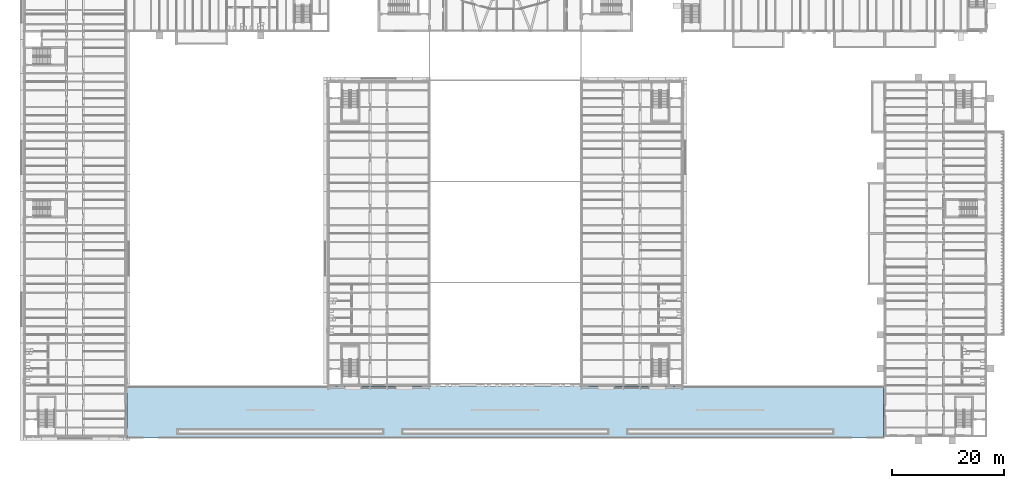
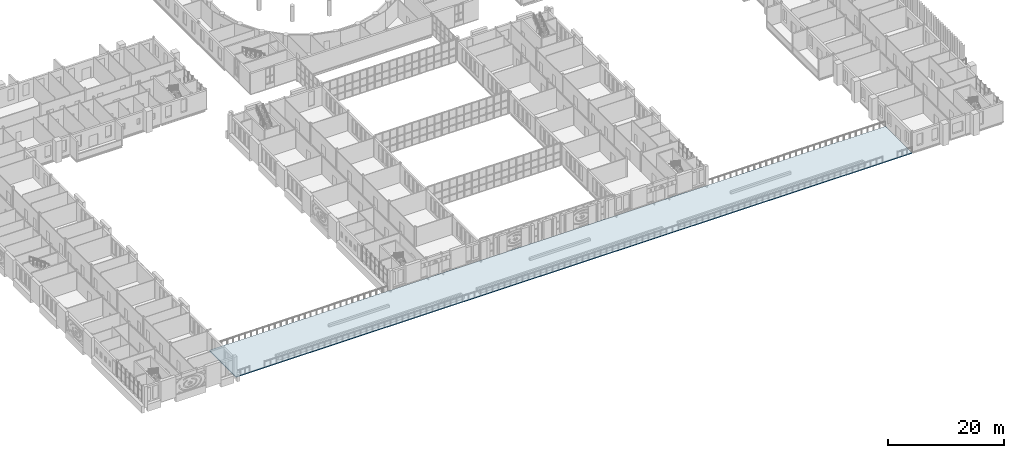
# One storey, part 58 of 134: 1 slab.
"""IFC4 building model written with IfcOpenShell, lengths in metres."""

import ifcopenshell
import ifcopenshell.guid

model = None  # the IFC model being written
_history = None  # IfcOwnerHistory: only IFC2X3 demands one
_inside = {}  # id of a spatial element -> (the spatial element, [elements in it])
_under = {}  # id of a project, library or spatial element -> (it, [spatial elements below it])
_declared = {}  # id of a project -> (the project, [libraries it declares])
_typed = {}  # id of a type object -> (the type object, [elements of that type])
_made_of = {}  # id of a material, layer set ... -> (it, [elements and type objects made of it])


def new_model(schema):
    """Start an empty IFC model of exactly this schema.

    Asked for "IFC4X3", IfcOpenShell would pick the latest addendum, in which some entities
    have other attributes; the version numbers below select the first issue.
    IFC2X3 requires an IfcOwnerHistory on every rooted entity: one is made here for all.
    """
    global model, _history
    if schema == "IFC4X3":
        model = ifcopenshell.file(schema_version=(4, 3, 0, 0))
    else:
        model = ifcopenshell.file(schema=schema)
    _inside.clear()
    _under.clear()
    _declared.clear()
    _typed.clear()
    _made_of.clear()
    _history = None
    if model.schema == "IFC2X3":
        org = make("IfcOrganization", Name="unknown")
        user = make(
            "IfcPersonAndOrganization",
            ThePerson=make("IfcPerson", FamilyName="unknown"),
            TheOrganization=org,
        )
        app = make(
            "IfcApplication",
            ApplicationDeveloper=org,
            Version="unknown",
            ApplicationFullName="unknown",
            ApplicationIdentifier="unknown",
        )
        _history = make(
            "IfcOwnerHistory",
            OwningUser=user,
            OwningApplication=app,
            ChangeAction="ADDED",
            CreationDate=0,
        )
    return model


def make(cls, **values):
    """One entity of the class cls with the attributes given. An attribute that is None is left unset."""
    return model.create_entity(
        cls, **{name: value for name, value in values.items() if value is not None}
    )


def rooted(cls, **values):
    """An entity with a GlobalId (a new one), such as an element, a storey or a relation."""
    return make(cls, GlobalId=ifcopenshell.guid.new(), OwnerHistory=_history, **values)


def si_unit(unit_type, name, prefix=None):
    """IfcSIUnit, for example si_unit("LENGTHUNIT", "METRE", prefix="MILLI")."""
    return make("IfcSIUnit", UnitType=unit_type, Prefix=prefix, Name=name)


def assignment(units):
    """IfcUnitAssignment: the units of a project."""
    return None if units is None else make("IfcUnitAssignment", Units=units)


def point(xyz):
    """IfcCartesianPoint."""
    return None if xyz is None else make("IfcCartesianPoint", Coordinates=xyz)


def direction(xyz):
    """IfcDirection."""
    return None if xyz is None else make("IfcDirection", DirectionRatios=xyz)


def frame(location, z_axis=None, x_axis=None):
    """IfcAxis2Placement3D, a coordinate frame: its origin and axes. An axis left out is left unset."""
    return make(
        "IfcAxis2Placement3D",
        Location=point(location),
        Axis=direction(z_axis),
        RefDirection=direction(x_axis),
    )


def origin():
    """The frame at (0, 0, 0) with its axes left unset."""
    return frame((0.0, 0.0, 0.0))


def place(relative_to, where):
    """IfcLocalPlacement: puts the frame where relative to a parent placement (None: the world)."""
    return make(
        "IfcLocalPlacement", PlacementRelTo=relative_to, RelativePlacement=where
    )


def context(
    kind, dimensions, precision=None, world=None, true_north=None, identifier=None
):
    """IfcGeometricRepresentationContext, for example the 3D "Model" context."""
    return make(
        "IfcGeometricRepresentationContext",
        ContextIdentifier=identifier,
        ContextType=kind,
        CoordinateSpaceDimension=dimensions,
        Precision=precision,
        WorldCoordinateSystem=world,
        TrueNorth=true_north,
    )


def subcontext(parent, identifier, kind, view, scale=None):
    """IfcGeometricRepresentationSubContext, for example "Body" below "Model"."""
    return make(
        "IfcGeometricRepresentationSubContext",
        ContextIdentifier=identifier,
        ContextType=kind,
        ParentContext=parent,
        TargetScale=scale,
        TargetView=view,
    )


def project(units=None, contexts=None):
    """IfcProject with its units and contexts."""
    return rooted(
        "IfcProject",
        Name="project",
        RepresentationContexts=contexts,
        UnitsInContext=assignment(units),
    )


def spatial(cls, under=None, at=None, **own):
    """A site, building, storey or space (cls), placed at a placement, below another one or the project."""
    s = rooted(cls, ObjectPlacement=at, **own)
    if under is not None:
        _under.setdefault(under.id(), (under, []))[1].append(s)
    return s


def polyline(points):
    """IfcPolyline through the points."""
    return make("IfcPolyline", Points=[point(p) for p in points])


def outline(outer, holes=None, kind="AREA"):
    """IfcArbitraryClosedProfileDef: a profile drawn as a closed curve; with holes, ...WithVoids."""
    if holes is None:
        return make("IfcArbitraryClosedProfileDef", ProfileType=kind, OuterCurve=outer)
    return make(
        "IfcArbitraryProfileDefWithVoids",
        ProfileType=kind,
        OuterCurve=outer,
        InnerCurves=holes,
    )


def extrude(swept, where, along, depth):
    """IfcExtrudedAreaSolid: the profile swept, set in the frame where, extruded along a direction by depth."""
    return make(
        "IfcExtrudedAreaSolid",
        SweptArea=swept,
        Position=where,
        ExtrudedDirection=direction(along),
        Depth=depth,
    )


def shape(context_of_items, identifier, shape_type, items):
    """IfcShapeRepresentation: the items that make up one representation, for example the "Body"."""
    return make(
        "IfcShapeRepresentation",
        ContextOfItems=context_of_items,
        RepresentationIdentifier=identifier,
        RepresentationType=shape_type,
        Items=items,
    )


def material(Name=None, Category=None):
    """IfcMaterial."""
    return make("IfcMaterial", Name=Name, Category=Category)


def layer(
    of_material, thickness, ventilated=None, Name=None, Category=None, Priority=None
):
    """IfcMaterialLayer: one layer of a wall or slab, of a material (None: an air gap)."""
    return make(
        "IfcMaterialLayer",
        Material=of_material,
        LayerThickness=thickness,
        IsVentilated=ventilated,
        Name=Name,
        Category=Category,
        Priority=Priority,
    )


def layer_set(layers, Name=None):
    """IfcMaterialLayerSet."""
    return make("IfcMaterialLayerSet", MaterialLayers=layers, LayerSetName=Name)


def made_of(thing, what):
    """Note that an element or type object is made of a material, layer set ...; save() writes the relation."""
    if what is not None:
        _made_of.setdefault(what.id(), (what, []))[1].append(thing)
    return thing


def type_object(cls, material=None, **own):
    """A type object (cls), such as IfcWallType, which elements share."""
    return made_of(rooted(cls, **own), material)


def element(
    cls,
    number,
    at=None,
    inside=None,
    cuts=None,
    type_object=None,
    material=None,
    context=None,
    identifier="Body",
    shape_type=None,
    held_by="IfcProductDefinitionShape",
    body=None,
    shapes=None,
    **own,
):
    """One element of the class cls, such as IfcWall. Its Tag is "e" and its number.

    at: its placement. inside: the storey or other place that contains it. cuts: it is an
    opening in that element (IfcRelVoidsElement). A single representation is given by context,
    identifier, shape_type and body (its items); several are given by shapes. held_by: the class
    of the entity that holds the representations. save() writes the other relations.
    """
    e = rooted(cls, Tag="e%d" % number, ObjectPlacement=at, **own)
    if body is not None:
        shapes = [shape(context, identifier, shape_type, body)]
    if shapes is not None:
        e.Representation = make(held_by, Representations=shapes)
    if inside is not None:
        _inside.setdefault(inside.id(), (inside, []))[1].append(e)
    if cuts is not None:
        rooted(
            "IfcRelVoidsElement", RelatingBuildingElement=cuts, RelatedOpeningElement=e
        )
    if type_object is not None:
        _typed.setdefault(type_object.id(), (type_object, []))[1].append(e)
    return made_of(e, material)


def aggregate(whole, parts):
    """IfcRelAggregates: a whole, such as a stair, and the parts it consists of."""
    return rooted("IfcRelAggregates", RelatingObject=whole, RelatedObjects=parts)


def save(model, path):
    """Write the relations noted so far, then the file.

    IfcRelAggregates (storeys below a building ...), IfcRelContainedInSpatialStructure (elements
    in a storey), IfcRelDefinesByType, IfcRelAssociatesMaterial and IfcRelDeclares: one each for
    every whole, place, type object, material and project.
    """
    for whole, parts in _under.values():
        aggregate(whole, parts)
    for where, things in _inside.values():
        rooted(
            "IfcRelContainedInSpatialStructure",
            RelatedElements=things,
            RelatingStructure=where,
        )
    for kind, things in _typed.values():
        rooted("IfcRelDefinesByType", RelatedObjects=things, RelatingType=kind)
    for what, things in _made_of.values():
        rooted("IfcRelAssociatesMaterial", RelatedObjects=things, RelatingMaterial=what)
    for by, libraries in _declared.values():
        rooted("IfcRelDeclares", RelatingContext=by, RelatedDefinitions=libraries)
    model.write(path)


model = new_model("IFC4")

# Units and contexts
model_context = context("Model", 3, precision=1e-05, world=origin(), true_north=direction((0.0, 1.0)))
body_context = subcontext(model_context, "Body", "Model", "MODEL_VIEW")
ifc_project = project(units=[si_unit("LENGTHUNIT", "METRE"), si_unit("AREAUNIT", "SQUARE_METRE"), si_unit("VOLUMEUNIT", "CUBIC_METRE"), si_unit("PLANEANGLEUNIT", "RADIAN"), si_unit("MASSUNIT", "GRAM", prefix="KILO")], contexts=[model_context])

# Site, building, storey
site_placement = place(None, origin())
site = spatial("IfcSite", under=ifc_project, at=site_placement, CompositionType="ELEMENT")
building_placement = place(site_placement, origin())
building = spatial("IfcBuilding", under=site, at=building_placement, Name="Golden Quay Civic Hall", CompositionType="ELEMENT")
storey_placement = place(building_placement, frame((0.0, 0.0, 5.39990234375)))
storey = spatial("IfcBuildingStorey", under=building, at=storey_placement, Name="L01", CompositionType="ELEMENT", Elevation=5.39990234375)

# Slab
ifc_material = material(Name="Concrete C35/45", Category="concrete")
ifc_layer = layer(ifc_material, 0.169921875)
ifc_layer_set = layer_set([ifc_layer], Name="Composite terrace slab 170")
slab_type = type_object("IfcSlabType", Name="Composite terrace slab 170", PredefinedType="FLOOR", material=ifc_layer_set)
slab_placement = place(storey_placement, frame((0.0, 0.0, -0.199951171875)))
element("IfcSlab", 1, at=slab_placement, inside=storey, type_object=slab_type, Name="Public terrace slab", PredefinedType="FLOOR", context=body_context, shape_type="SweptSolid", body=[
    extrude(outline(polyline([(18.199951171875, -9.39990234375), (152.800048828125, -9.39990234375), (152.800048828125, -0.199951171875), (18.199951171875, -0.199951171875), (18.199951171875, -9.39990234375)])), origin(), (0.0, 0.0, 1.0), 0.170166015625),
])

save(model, "model.ifc")
